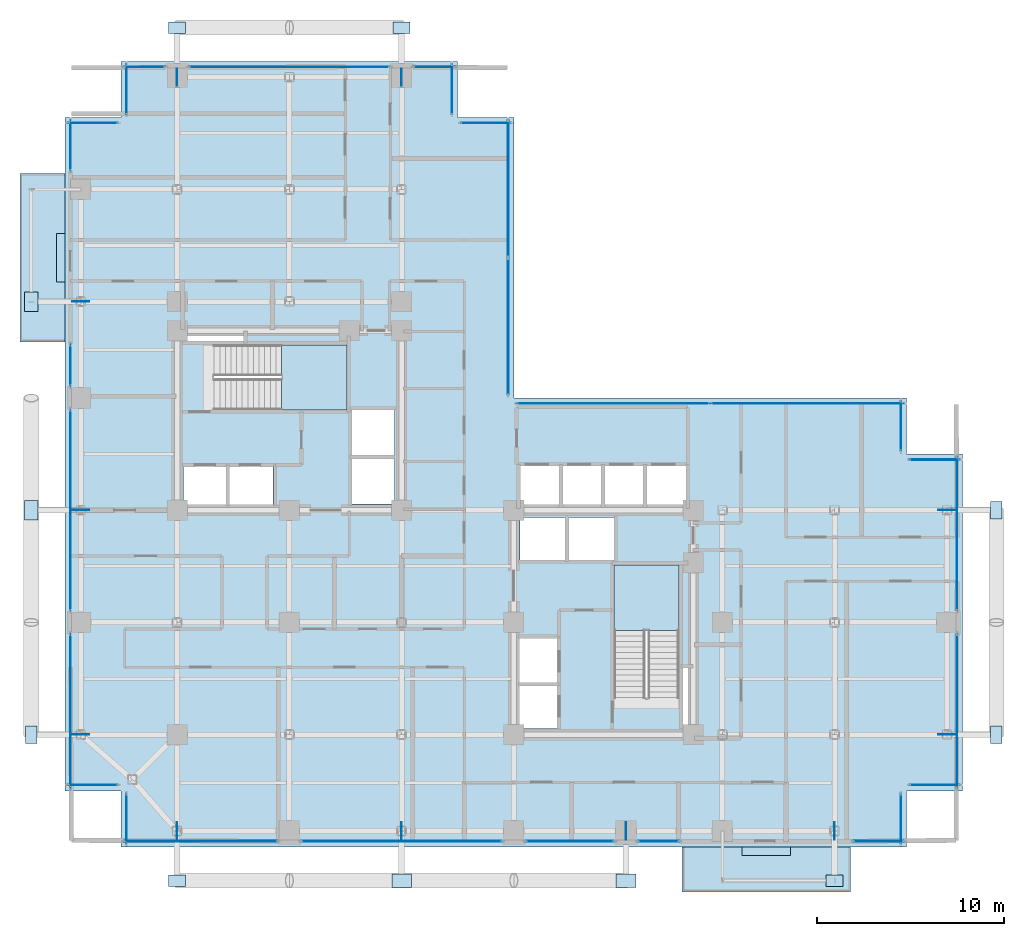
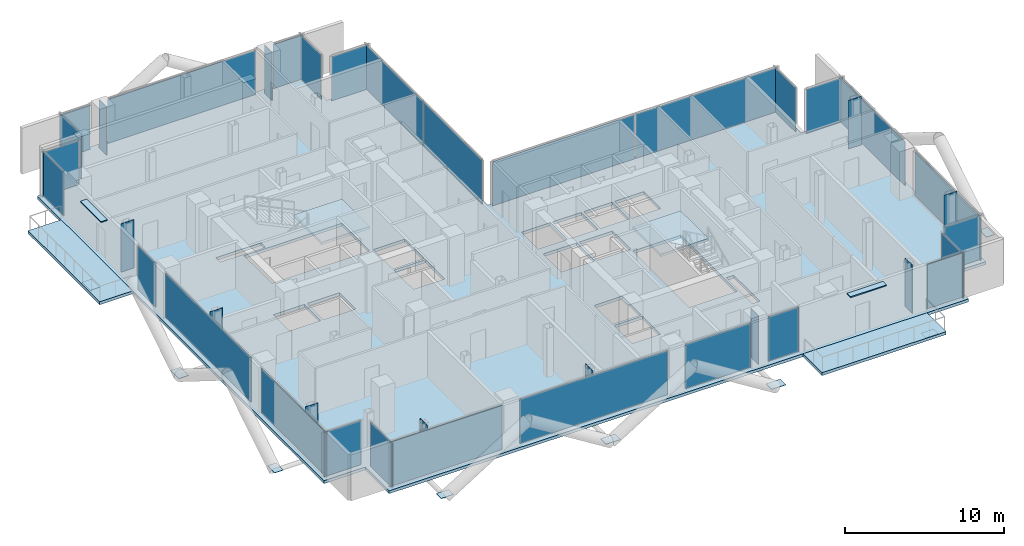
# One storey, part 18 of 28: 52 plates, 5 slabs, 28 elements without a shape of their own.
"""IFC4 building model written with IfcOpenShell, lengths in metres."""

from ifc_helpers import new_model, si_unit, direction, frame, origin, origin_2d, place, context, subcontext, project, spatial, polyline, rectangle, outline, extrude, material, layer, layer_set, type_object, element, aggregate, save


model = new_model("IFC4")

# Units and contexts
model_context = context("Model", 3, precision=1e-05, world=origin(), true_north=direction((0.0, 1.0)))
body_context = subcontext(model_context, "Body", "Model", "MODEL_VIEW")
ifc_project = project(units=[si_unit("LENGTHUNIT", "METRE"), si_unit("AREAUNIT", "SQUARE_METRE"), si_unit("VOLUMEUNIT", "CUBIC_METRE"), si_unit("PLANEANGLEUNIT", "RADIAN"), si_unit("MASSUNIT", "GRAM", prefix="KILO"), si_unit("THERMODYNAMICTEMPERATUREUNIT", "KELVIN"), si_unit("POWERUNIT", "WATT")], contexts=[model_context])

# Site, building, storey
site_placement = place(None, origin())
site = spatial("IfcSite", under=ifc_project, at=site_placement, CompositionType="ELEMENT")
building_placement = place(site_placement, origin())
building = spatial("IfcBuilding", under=site, at=building_placement, Name="Svarakhadi Broadcast Tower", CompositionType="ELEMENT")
storey_placement = place(building_placement, frame((0.0, 0.0, 134.39990234375)))
storey = spatial("IfcBuildingStorey", under=building, at=storey_placement, Name="L32", CompositionType="ELEMENT", Elevation=134.39990234375)

# Curtain wall, plate
ifc_material_1 = material(Name="Anodised Bronze Aluminium AA 6063-T6", Category="aluminium")
ifc_layer_1 = layer(ifc_material_1, 0.199951171875)
ifc_layer_set_1 = layer_set([ifc_layer_1], Name="Anodised Bronze Aluminium AA 6063-T6")
curtain_wall_type = type_object("IfcCurtainWallType", Name="CW_Sys_03", PredefinedType="NOTDEFINED", material=ifc_layer_set_1)
curtain_wall_1_placement = place(storey_placement, origin())
curtain_wall_1 = element("IfcCurtainWall", 1, at=curtain_wall_1_placement, inside=storey, type_object=curtain_wall_type, Name="L32 Unitised Facade Curtain Wall 01", PredefinedType="NOTDEFINED")
ifc_material_2 = material(Name="Double Low-E Laminated Acoustic Glass IGU 36 mm", Category="glass")
ifc_layer_2 = layer(ifc_material_2, 0.035888671875)
ifc_layer_set_2 = layer_set([ifc_layer_2], Name="Double Low-E Laminated Acoustic Glass IGU 36 mm")
plate_type_1 = type_object("IfcPlateType", Name="CW_Sys_03_Pnl", PredefinedType="CURTAIN_PANEL", material=ifc_layer_set_2)
plate_1_placement = place(storey_placement, frame((1.5, 3.300048828125, 0.0703125), z_axis=(0.0, 0.0, 1.0), x_axis=(-1.0, 0.0, 0.0)))
plate_1 = element("IfcPlate", 2, at=plate_1_placement, type_object=plate_type_1, Name="CW-03 panel 1.1", PredefinedType="CURTAIN_PANEL", context=body_context, shape_type="SweptSolid", body=[
    extrude(rectangle(XDim=2.669921875, YDim=0.035888671875, at=origin_2d()), origin(), (0.0, 0.0, 1.0), 3.385009765625),
])
aggregate(curtain_wall_1, [plate_1])

curtain_wall_2_placement = place(storey_placement, origin())
curtain_wall_2 = element("IfcCurtainWall", 3, at=curtain_wall_2_placement, inside=storey, type_object=curtain_wall_type, Name="L32 West Curtain Wall 02 Bay 1", PredefinedType="NOTDEFINED")
plate_2_placement = place(storey_placement, frame((0.300048828125, 7.260009765625, 0.0703125), z_axis=(0.0, 0.0, 1.0), x_axis=(0.0, 1.0, 0.0)))
plate_2 = element("IfcPlate", 4, at=plate_2_placement, type_object=plate_type_1, Name="CW-03 panel 1.1", PredefinedType="CURTAIN_PANEL", context=body_context, shape_type="SweptSolid", body=[
    extrude(rectangle(XDim=8.18994140625, YDim=0.035888671875, at=origin_2d()), origin(), (0.0, 0.0, 1.0), 3.385009765625),
])
aggregate(curtain_wall_2, [plate_2])

curtain_wall_3_placement = place(storey_placement, origin())
curtain_wall_3 = element("IfcCurtainWall", 5, at=curtain_wall_3_placement, inside=storey, type_object=curtain_wall_type, Name="L32 West Curtain Wall 02 Bay 2", PredefinedType="NOTDEFINED")
plate_3_placement = place(storey_placement, frame((0.300048828125, 18.0, 0.0703125), z_axis=(0.0, 0.0, 1.0), x_axis=(0.0, 1.0, 0.0)))
plate_3 = element("IfcPlate", 6, at=plate_3_placement, type_object=plate_type_1, Name="CW-03 panel 1.1", PredefinedType="CURTAIN_PANEL", context=body_context, shape_type="SweptSolid", body=[
    extrude(rectangle(XDim=10.7099609375, YDim=0.035888671875, at=origin_2d()), origin(), (0.0, 0.0, 1.0), 3.385009765625),
])
aggregate(curtain_wall_3, [plate_3])

curtain_wall_4_placement = place(storey_placement, origin())
curtain_wall_4 = element("IfcCurtainWall", 7, at=curtain_wall_4_placement, inside=storey, type_object=curtain_wall_type, Name="L32 West Curtain Wall 02 Bay 3", PredefinedType="NOTDEFINED")
plate_4_placement = place(storey_placement, frame((0.300048828125, 25.739990234375, 0.0703125), z_axis=(0.0, 0.0, 1.0), x_axis=(0.0, 1.0, 0.0)))
plate_4 = element("IfcPlate", 8, at=plate_4_placement, type_object=plate_type_1, Name="CW-03 panel 1.1", PredefinedType="CURTAIN_PANEL", context=body_context, shape_type="SweptSolid", body=[
    extrude(rectangle(XDim=2.18994140625, YDim=0.035888671875, at=origin_2d()), origin(), (0.0, 0.0, 1.0), 3.385009765625),
])
aggregate(curtain_wall_4, [plate_4])

curtain_wall_5_placement = place(storey_placement, origin())
curtain_wall_5 = element("IfcCurtainWall", 9, at=curtain_wall_5_placement, inside=storey, type_object=curtain_wall_type, Name="L32 West Curtain Wall 03", PredefinedType="NOTDEFINED")
plate_5_placement = place(storey_placement, frame((0.300048828125, 37.5, 0.0703125), z_axis=(0.0, 0.0, 1.0), x_axis=(0.0, 1.0, 0.0)))
plate_5 = element("IfcPlate", 10, at=plate_5_placement, type_object=plate_type_1, Name="CW-03 panel 1.1", PredefinedType="CURTAIN_PANEL", context=body_context, shape_type="SweptSolid", body=[
    extrude(rectangle(XDim=2.669921875, YDim=0.035888671875, at=origin_2d()), origin(), (0.0, 0.0, 1.0), 3.385009765625),
])
aggregate(curtain_wall_5, [plate_5])

curtain_wall_6_placement = place(storey_placement, origin())
curtain_wall_6 = element("IfcCurtainWall", 11, at=curtain_wall_6_placement, inside=storey, type_object=curtain_wall_type, Name="L32 Unitised Facade Curtain Wall 04", PredefinedType="NOTDEFINED")
plate_6_placement = place(storey_placement, frame((1.5, 38.699951171875, 0.0703125), z_axis=(0.0, 0.0, 1.0), x_axis=(1.0, 0.0, 0.0)))
plate_6 = element("IfcPlate", 12, at=plate_6_placement, type_object=plate_type_1, Name="CW-03 panel 1.1", PredefinedType="CURTAIN_PANEL", context=body_context, shape_type="SweptSolid", body=[
    extrude(rectangle(XDim=2.669921875, YDim=0.035888671875, at=origin_2d()), origin(), (0.0, 0.0, 1.0), 3.385009765625),
])
aggregate(curtain_wall_6, [plate_6])

curtain_wall_7_placement = place(storey_placement, origin())
curtain_wall_7 = element("IfcCurtainWall", 13, at=curtain_wall_7_placement, inside=storey, type_object=curtain_wall_type, Name="L32 Unitised Facade Curtain Wall 05", PredefinedType="NOTDEFINED")
plate_7_placement = place(storey_placement, frame((3.300048828125, 40.5, 0.0703125), z_axis=(0.0, 0.0, 1.0), x_axis=(0.0, 1.0, 0.0)))
plate_7 = element("IfcPlate", 14, at=plate_7_placement, type_object=plate_type_1, Name="CW-03 panel 1.1", PredefinedType="CURTAIN_PANEL", context=body_context, shape_type="SweptSolid", body=[
    extrude(rectangle(XDim=2.669921875, YDim=0.035888671875, at=origin_2d()), origin(), (0.0, 0.0, 1.0), 3.385009765625),
])
aggregate(curtain_wall_7, [plate_7])

curtain_wall_8_placement = place(storey_placement, origin())
curtain_wall_8 = element("IfcCurtainWall", 15, at=curtain_wall_8_placement, inside=storey, type_object=curtain_wall_type, Name="L32 Unitised Facade Curtain Wall 06 Bay 1", PredefinedType="NOTDEFINED")
plate_8_placement = place(storey_placement, frame((4.260009765625, 41.699951171875, 0.0703125), z_axis=(0.0, 0.0, 1.0), x_axis=(1.0, 0.0, 0.0)))
plate_8 = element("IfcPlate", 16, at=plate_8_placement, type_object=plate_type_1, Name="CW-03 panel 1.1", PredefinedType="CURTAIN_PANEL", context=body_context, shape_type="SweptSolid", body=[
    extrude(rectangle(XDim=2.18994140625, YDim=0.035888671875, at=origin_2d()), origin(), (0.0, 0.0, 1.0), 3.385009765625),
])
aggregate(curtain_wall_8, [plate_8])

curtain_wall_9_placement = place(storey_placement, origin())
curtain_wall_9 = element("IfcCurtainWall", 17, at=curtain_wall_9_placement, inside=storey, type_object=curtain_wall_type, Name="L32 Unitised Facade Curtain Wall 06 Bay 2", PredefinedType="NOTDEFINED")
plate_9_placement = place(storey_placement, frame((12.0, 41.699951171875, 0.0703125), z_axis=(0.0, 0.0, 1.0), x_axis=(1.0, 0.0, 0.0)))
plate_9 = element("IfcPlate", 18, at=plate_9_placement, type_object=plate_type_1, Name="CW-03 panel 1.1", PredefinedType="CURTAIN_PANEL", context=body_context, shape_type="SweptSolid", body=[
    extrude(rectangle(XDim=10.7099609375, YDim=0.035888671875, at=origin_2d()), origin(), (0.0, 0.0, 1.0), 3.385009765625),
])
aggregate(curtain_wall_9, [plate_9])

curtain_wall_10_placement = place(storey_placement, origin())
curtain_wall_10 = element("IfcCurtainWall", 19, at=curtain_wall_10_placement, inside=storey, type_object=curtain_wall_type, Name="L32 Unitised Facade Curtain Wall 06 Bay 3", PredefinedType="NOTDEFINED")
plate_10_placement = place(storey_placement, frame((19.739990234375, 41.699951171875, 0.0703125), z_axis=(0.0, 0.0, 1.0), x_axis=(1.0, 0.0, 0.0)))
plate_10 = element("IfcPlate", 20, at=plate_10_placement, type_object=plate_type_1, Name="CW-03 panel 1.1", PredefinedType="CURTAIN_PANEL", context=body_context, shape_type="SweptSolid", body=[
    extrude(rectangle(XDim=2.18994140625, YDim=0.035888671875, at=origin_2d()), origin(), (0.0, 0.0, 1.0), 3.385009765625),
])
aggregate(curtain_wall_10, [plate_10])

curtain_wall_11_placement = place(storey_placement, origin())
curtain_wall_11 = element("IfcCurtainWall", 21, at=curtain_wall_11_placement, inside=storey, type_object=curtain_wall_type, Name="L32 Unitised Facade Curtain Wall 07", PredefinedType="NOTDEFINED")
plate_11_placement = place(storey_placement, frame((20.699951171875, 40.5, 0.0703125), z_axis=(0.0, 0.0, 1.0), x_axis=(0.0, -1.0, 0.0)))
plate_11 = element("IfcPlate", 22, at=plate_11_placement, type_object=plate_type_1, Name="CW-03 panel 1.1", PredefinedType="CURTAIN_PANEL", context=body_context, shape_type="SweptSolid", body=[
    extrude(rectangle(XDim=2.669921875, YDim=0.035888671875, at=origin_2d()), origin(), (0.0, 0.0, 1.0), 3.385009765625),
])
aggregate(curtain_wall_11, [plate_11])

curtain_wall_12_placement = place(storey_placement, origin())
curtain_wall_12 = element("IfcCurtainWall", 23, at=curtain_wall_12_placement, inside=storey, type_object=curtain_wall_type, Name="L32 Unitised Facade Curtain Wall 08", PredefinedType="NOTDEFINED")
plate_12_placement = place(storey_placement, frame((22.5, 38.699951171875, 0.0703125), z_axis=(0.0, 0.0, 1.0), x_axis=(1.0, 0.0, 0.0)))
plate_12 = element("IfcPlate", 24, at=plate_12_placement, type_object=plate_type_1, Name="CW-03 panel 1.1", PredefinedType="CURTAIN_PANEL", context=body_context, shape_type="SweptSolid", body=[
    extrude(rectangle(XDim=2.669921875, YDim=0.035888671875, at=origin_2d()), origin(), (0.0, 0.0, 1.0), 3.385009765625),
])
aggregate(curtain_wall_12, [plate_12])

# Curtain wall, plates
curtain_wall_13_placement = place(storey_placement, origin())
curtain_wall_13 = element("IfcCurtainWall", 25, at=curtain_wall_13_placement, inside=storey, type_object=curtain_wall_type, Name="L32 Unitised Facade Curtain Wall 09", PredefinedType="NOTDEFINED")
plate_13_placement = place(storey_placement, frame((23.699951171875, 35.186279296875, 0.0703125), z_axis=(0.0, 0.0, 1.0), x_axis=(0.0, -1.0, 0.0)))
plate_13 = element("IfcPlate", 26, at=plate_13_placement, type_object=plate_type_1, Name="CW-03 panel 1.1", PredefinedType="CURTAIN_PANEL", context=body_context, shape_type="SweptSolid", body=[
    extrude(rectangle(XDim=7.297607421875, YDim=0.035888671875, at=origin_2d()), origin(), (0.0, 0.0, 1.0), 3.385009765625),
])
plate_14_placement = place(storey_placement, frame((23.699951171875, 27.813720703125, 0.0703125), z_axis=(0.0, 0.0, 1.0), x_axis=(0.0, -1.0, 0.0)))
plate_14 = element("IfcPlate", 27, at=plate_14_placement, type_object=plate_type_1, Name="CW-03 panel 2.1", PredefinedType="CURTAIN_PANEL", context=body_context, shape_type="SweptSolid", body=[
    extrude(rectangle(XDim=7.297607421875, YDim=0.035888671875, at=origin_2d()), origin(), (0.0, 0.0, 1.0), 3.385009765625),
])
aggregate(curtain_wall_13, [plate_13, plate_14])

curtain_wall_14_placement = place(storey_placement, origin())
curtain_wall_14 = element("IfcCurtainWall", 28, at=curtain_wall_14_placement, inside=storey, type_object=curtain_wall_type, Name="L32 Unitised Facade Curtain Wall 10", PredefinedType="NOTDEFINED")
plate_15_placement = place(storey_placement, frame((29.313720703125, 23.699951171875, 0.0703125), z_axis=(0.0, 0.0, 1.0), x_axis=(1.0, 0.0, 0.0)))
plate_15 = element("IfcPlate", 29, at=plate_15_placement, type_object=plate_type_1, Name="CW-03 panel 1.1", PredefinedType="CURTAIN_PANEL", context=body_context, shape_type="SweptSolid", body=[
    extrude(rectangle(XDim=10.297607421875, YDim=0.035888671875, at=origin_2d()), origin(), (0.0, 0.0, 1.0), 3.385009765625),
])
plate_16_placement = place(storey_placement, frame((39.686279296875, 23.699951171875, 0.0703125), z_axis=(0.0, 0.0, 1.0), x_axis=(1.0, 0.0, 0.0)))
plate_16 = element("IfcPlate", 30, at=plate_16_placement, type_object=plate_type_1, Name="CW-03 panel 2.1", PredefinedType="CURTAIN_PANEL", context=body_context, shape_type="SweptSolid", body=[
    extrude(rectangle(XDim=10.297607421875, YDim=0.035888671875, at=origin_2d()), origin(), (0.0, 0.0, 1.0), 3.385009765625),
])
aggregate(curtain_wall_14, [plate_15, plate_16])

# Curtain wall, plate
curtain_wall_15_placement = place(storey_placement, origin())
curtain_wall_15 = element("IfcCurtainWall", 31, at=curtain_wall_15_placement, inside=storey, type_object=curtain_wall_type, Name="L32 Unitised Facade Curtain Wall 11", PredefinedType="NOTDEFINED")
plate_17_placement = place(storey_placement, frame((44.699951171875, 22.5, 0.0703125), z_axis=(0.0, 0.0, 1.0), x_axis=(0.0, -1.0, 0.0)))
plate_17 = element("IfcPlate", 32, at=plate_17_placement, type_object=plate_type_1, Name="CW-03 panel 1.1", PredefinedType="CURTAIN_PANEL", context=body_context, shape_type="SweptSolid", body=[
    extrude(rectangle(XDim=2.669921875, YDim=0.035888671875, at=origin_2d()), origin(), (0.0, 0.0, 1.0), 3.385009765625),
])
aggregate(curtain_wall_15, [plate_17])

curtain_wall_16_placement = place(storey_placement, origin())
curtain_wall_16 = element("IfcCurtainWall", 33, at=curtain_wall_16_placement, inside=storey, type_object=curtain_wall_type, Name="L32 Unitised Facade Curtain Wall 12", PredefinedType="NOTDEFINED")
plate_18_placement = place(storey_placement, frame((46.5, 20.699951171875, 0.0703125), z_axis=(0.0, 0.0, 1.0), x_axis=(1.0, 0.0, 0.0)))
plate_18 = element("IfcPlate", 34, at=plate_18_placement, type_object=plate_type_1, Name="CW-03 panel 1.1", PredefinedType="CURTAIN_PANEL", context=body_context, shape_type="SweptSolid", body=[
    extrude(rectangle(XDim=2.669921875, YDim=0.035888671875, at=origin_2d()), origin(), (0.0, 0.0, 1.0), 3.385009765625),
])
aggregate(curtain_wall_16, [plate_18])

curtain_wall_17_placement = place(storey_placement, origin())
curtain_wall_17 = element("IfcCurtainWall", 35, at=curtain_wall_17_placement, inside=storey, type_object=curtain_wall_type, Name="L32 Unitised Facade Curtain Wall 13 Bay 1", PredefinedType="NOTDEFINED")
plate_19_placement = place(storey_placement, frame((47.699951171875, 16.739990234375, 0.0703125), z_axis=(0.0, 0.0, 1.0), x_axis=(0.0, -1.0, 0.0)))
plate_19 = element("IfcPlate", 36, at=plate_19_placement, type_object=plate_type_1, Name="CW-03 panel 1.1", PredefinedType="CURTAIN_PANEL", context=body_context, shape_type="SweptSolid", body=[
    extrude(rectangle(XDim=8.18994140625, YDim=0.035888671875, at=origin_2d()), origin(), (0.0, 0.0, 1.0), 3.385009765625),
])
aggregate(curtain_wall_17, [plate_19])

curtain_wall_18_placement = place(storey_placement, origin())
curtain_wall_18 = element("IfcCurtainWall", 37, at=curtain_wall_18_placement, inside=storey, type_object=curtain_wall_type, Name="L32 Unitised Facade Curtain Wall 13 Bay 2", PredefinedType="NOTDEFINED")
plate_20_placement = place(storey_placement, frame((47.699951171875, 7.260009765625, 0.0703125), z_axis=(0.0, 0.0, 1.0), x_axis=(0.0, -1.0, 0.0)))
plate_20 = element("IfcPlate", 38, at=plate_20_placement, type_object=plate_type_1, Name="CW-03 panel 1.1", PredefinedType="CURTAIN_PANEL", context=body_context, shape_type="SweptSolid", body=[
    extrude(rectangle(XDim=8.18994140625, YDim=0.035888671875, at=origin_2d()), origin(), (0.0, 0.0, 1.0), 3.385009765625),
])
aggregate(curtain_wall_18, [plate_20])

curtain_wall_19_placement = place(storey_placement, origin())
curtain_wall_19 = element("IfcCurtainWall", 39, at=curtain_wall_19_placement, inside=storey, type_object=curtain_wall_type, Name="L32 Unitised Facade Curtain Wall 14", PredefinedType="NOTDEFINED")
plate_21_placement = place(storey_placement, frame((46.5, 3.300048828125, 0.0703125), z_axis=(0.0, 0.0, 1.0), x_axis=(-1.0, 0.0, 0.0)))
plate_21 = element("IfcPlate", 40, at=plate_21_placement, type_object=plate_type_1, Name="CW-03 panel 1.1", PredefinedType="CURTAIN_PANEL", context=body_context, shape_type="SweptSolid", body=[
    extrude(rectangle(XDim=2.669921875, YDim=0.035888671875, at=origin_2d()), origin(), (0.0, 0.0, 1.0), 3.385009765625),
])
aggregate(curtain_wall_19, [plate_21])

curtain_wall_20_placement = place(storey_placement, origin())
curtain_wall_20 = element("IfcCurtainWall", 41, at=curtain_wall_20_placement, inside=storey, type_object=curtain_wall_type, Name="L32 Unitised Facade Curtain Wall 15", PredefinedType="NOTDEFINED")
plate_22_placement = place(storey_placement, frame((44.699951171875, 1.5, 0.0703125), z_axis=(0.0, 0.0, 1.0), x_axis=(0.0, -1.0, 0.0)))
plate_22 = element("IfcPlate", 42, at=plate_22_placement, type_object=plate_type_1, Name="CW-03 panel 1.1", PredefinedType="CURTAIN_PANEL", context=body_context, shape_type="SweptSolid", body=[
    extrude(rectangle(XDim=2.669921875, YDim=0.035888671875, at=origin_2d()), origin(), (0.0, 0.0, 1.0), 3.385009765625),
])
aggregate(curtain_wall_20, [plate_22])

curtain_wall_21_placement = place(storey_placement, origin())
curtain_wall_21 = element("IfcCurtainWall", 43, at=curtain_wall_21_placement, inside=storey, type_object=curtain_wall_type, Name="L32 South Curtain Wall 16", PredefinedType="NOTDEFINED")
plate_23_placement = place(storey_placement, frame((43.5, 0.300048828125, 0.0703125), z_axis=(0.0, 0.0, 1.0), x_axis=(-1.0, 0.0, 0.0)))
plate_23 = element("IfcPlate", 44, at=plate_23_placement, type_object=plate_type_1, Name="CW-03 panel 1.1", PredefinedType="CURTAIN_PANEL", context=body_context, shape_type="SweptSolid", body=[
    extrude(rectangle(XDim=2.669921875, YDim=0.035888671875, at=origin_2d()), origin(), (0.0, 0.0, 1.0), 3.385009765625),
])
aggregate(curtain_wall_21, [plate_23])

curtain_wall_22_placement = place(storey_placement, origin())
curtain_wall_22 = element("IfcCurtainWall", 45, at=curtain_wall_22_placement, inside=storey, type_object=curtain_wall_type, Name="L32 South Curtain Wall 17 Bay 1", PredefinedType="NOTDEFINED")
plate_24_placement = place(storey_placement, frame((31.739990234375, 0.300048828125, 0.0703125), z_axis=(0.0, 0.0, 1.0), x_axis=(-1.0, 0.0, 0.0)))
plate_24 = element("IfcPlate", 46, at=plate_24_placement, type_object=plate_type_1, Name="CW-03 panel 1.1", PredefinedType="CURTAIN_PANEL", context=body_context, shape_type="SweptSolid", body=[
    extrude(rectangle(XDim=2.18994140625, YDim=0.035888671875, at=origin_2d()), origin(), (0.0, 0.0, 1.0), 3.385009765625),
])
aggregate(curtain_wall_22, [plate_24])

curtain_wall_23_placement = place(storey_placement, origin())
curtain_wall_23 = element("IfcCurtainWall", 47, at=curtain_wall_23_placement, inside=storey, type_object=curtain_wall_type, Name="L32 South Curtain Wall 17 Bay 2", PredefinedType="NOTDEFINED")
plate_25_placement = place(storey_placement, frame((27.0, 0.300048828125, 0.0703125), z_axis=(0.0, 0.0, 1.0), x_axis=(-1.0, 0.0, 0.0)))
plate_25 = element("IfcPlate", 48, at=plate_25_placement, type_object=plate_type_1, Name="CW-03 panel 1.1", PredefinedType="CURTAIN_PANEL", context=body_context, shape_type="SweptSolid", body=[
    extrude(rectangle(XDim=4.7099609375, YDim=0.035888671875, at=origin_2d()), origin(), (0.0, 0.0, 1.0), 3.385009765625),
])
aggregate(curtain_wall_23, [plate_25])

curtain_wall_24_placement = place(storey_placement, origin())
curtain_wall_24 = element("IfcCurtainWall", 49, at=curtain_wall_24_placement, inside=storey, type_object=curtain_wall_type, Name="L32 South Curtain Wall 17 Bay 3", PredefinedType="NOTDEFINED")
plate_26_placement = place(storey_placement, frame((18.0, 0.300048828125, 0.0703125), z_axis=(0.0, 0.0, 1.0), x_axis=(-1.0, 0.0, 0.0)))
plate_26 = element("IfcPlate", 50, at=plate_26_placement, type_object=plate_type_1, Name="CW-03 panel 1.1", PredefinedType="CURTAIN_PANEL", context=body_context, shape_type="SweptSolid", body=[
    extrude(rectangle(XDim=10.7099609375, YDim=0.035888671875, at=origin_2d()), origin(), (0.0, 0.0, 1.0), 3.385009765625),
])
aggregate(curtain_wall_24, [plate_26])

curtain_wall_25_placement = place(storey_placement, origin())
curtain_wall_25 = element("IfcCurtainWall", 51, at=curtain_wall_25_placement, inside=storey, type_object=curtain_wall_type, Name="L32 South Curtain Wall 17 Bay 4", PredefinedType="NOTDEFINED")
plate_27_placement = place(storey_placement, frame((7.260009765625, 0.300048828125, 0.0703125), z_axis=(0.0, 0.0, 1.0), x_axis=(-1.0, 0.0, 0.0)))
plate_27 = element("IfcPlate", 52, at=plate_27_placement, type_object=plate_type_1, Name="CW-03 panel 1.1", PredefinedType="CURTAIN_PANEL", context=body_context, shape_type="SweptSolid", body=[
    extrude(rectangle(XDim=8.18994140625, YDim=0.035888671875, at=origin_2d()), origin(), (0.0, 0.0, 1.0), 3.385009765625),
])
aggregate(curtain_wall_25, [plate_27])

curtain_wall_26_placement = place(storey_placement, origin())
curtain_wall_26 = element("IfcCurtainWall", 53, at=curtain_wall_26_placement, inside=storey, type_object=curtain_wall_type, Name="L32 Unitised Facade Curtain Wall 18", PredefinedType="NOTDEFINED")
plate_28_placement = place(storey_placement, frame((3.300048828125, 1.5, 0.0703125), z_axis=(0.0, 0.0, 1.0), x_axis=(0.0, 1.0, 0.0)))
plate_28 = element("IfcPlate", 54, at=plate_28_placement, type_object=plate_type_1, Name="CW-03 panel 1.1", PredefinedType="CURTAIN_PANEL", context=body_context, shape_type="SweptSolid", body=[
    extrude(rectangle(XDim=2.669921875, YDim=0.035888671875, at=origin_2d()), origin(), (0.0, 0.0, 1.0), 3.385009765625),
])
aggregate(curtain_wall_26, [plate_28])

# Plates
ifc_material_3 = material(Name="Steel S460ML (IS 2062 E450BR)", Category="steel")
ifc_layer_3 = layer(ifc_material_3, 0.031982421875)
ifc_layer_set_3 = layer_set([ifc_layer_3], Name="Steel S460ML (IS 2062 E450BR)")
plate_type_2 = type_object("IfcPlateType", Name="Node_Gusset_N02", PredefinedType="SHEET", material=ifc_layer_set_3)
for number, where, z_axis, x_axis, name in (
    (55, (18.0, -1.800048828125, -0.22509765625), (0.0, 0.0, 1.0), (1.0, 0.0, 0.0), "L32 Exoskeleton Gusset Node Plate S02"),
    (56, (30.0, -1.800048828125, -0.22509765625), (0.0, 0.0, 1.0), (1.0, 0.0, 0.0), "L32 Exoskeleton Gusset Node Plate S03"),
    (57, (-1.800048828125, 18.0, -0.22509765625), (0.0, 0.0, 1.0), (0.0, 1.0, 0.0), "L32 Exoskeleton Gusset Node Plate W06"),
    (58, (-1.800048828125, 29.14990234375, -0.22509765625), (0.0, 0.0, 1.0), (0.0, 1.0, 0.0), "L32 Exoskeleton Gusset Node Plate W07"),
):
    element("IfcPlate", number, at=place(storey_placement, frame(where, z_axis=z_axis, x_axis=x_axis)), inside=storey, type_object=plate_type_2, Name=name, PredefinedType="SHEET", context=body_context, shape_type="SweptSolid", body=[
        extrude(rectangle(XDim=1.050048828125, YDim=0.719970703125, at=origin_2d()), origin(), (0.0, 0.0, 1.0), 0.031982421875),
    ])
ifc_layer_4 = layer(ifc_material_3, 0.02587890625)
ifc_layer_set_4 = layer_set([ifc_layer_4], Name="Steel S460ML (IS 2062 E450BR)")
plate_type_3 = type_object("IfcPlateType", Name="Node_Gusset_N07", PredefinedType="SHEET", material=ifc_layer_set_4)
for number, where, z_axis, x_axis, name in (
    (59, (6.0, -1.800048828125, -0.224853515625), (0.0, 0.0, 1.0), (1.0, 0.0, 0.0), "L32 Exoskeleton Gusset Node Plate S01"),
    (60, (41.14990234375, -1.800048828125, -0.224853515625), (0.0, 0.0, 1.0), (1.0, 0.0, 0.0), "L32 Exoskeleton Gusset Node Plate S04"),
    (61, (-1.800048828125, 6.0, -0.224853515625), (0.0, 0.0, 1.0), (0.0, 1.0, 0.0), "L32 Exoskeleton Gusset Node Plate W05"),
    (62, (49.800048828125, 6.0, -0.224853515625), (0.0, 0.0, 1.0), (0.0, 1.0, 0.0), "L32 Exoskeleton Gusset Node Plate E08"),
    (63, (49.800048828125, 18.0, -0.224853515625), (0.0, 0.0, 1.0), (0.0, 1.0, 0.0), "L32 Exoskeleton Gusset Node Plate E09"),
    (64, (6.0, 43.800048828125, -0.224853515625), (0.0, 0.0, 1.0), (1.0, 0.0, 0.0), "L32 Exoskeleton Gusset Node Plate N10"),
    (65, (18.0, 43.800048828125, -0.224853515625), (0.0, 0.0, 1.0), (1.0, 0.0, 0.0), "L32 Exoskeleton Gusset Node Plate N11"),
):
    element("IfcPlate", number, at=place(storey_placement, frame(where, z_axis=z_axis, x_axis=x_axis)), inside=storey, type_object=plate_type_3, Name=name, PredefinedType="SHEET", context=body_context, shape_type="SweptSolid", body=[
        extrude(rectangle(XDim=0.919921875, YDim=0.6201171875, at=origin_2d()), origin(), (0.0, 0.0, 1.0), 0.02587890625),
    ])
for number, where, z_axis, x_axis, name in (
    (66, (6.0, 0.85009765625, -0.5869140625), (0.0, 0.0, 1.0), (0.0, 1.0, 0.0), "L32 Brace End Connection Gusset Plate N-07-E0259"),
    (67, (18.0, 0.85009765625, -0.5869140625), (0.0, 0.0, 1.0), (0.0, 1.0, 0.0), "L32 Brace End Connection Gusset Plate N-07-E0260"),
    (68, (30.0, 0.85009765625, -0.5869140625), (0.0, 0.0, 1.0), (0.0, 1.0, 0.0), "L32 Brace End Connection Gusset Plate N-07-E0261"),
    (69, (41.14990234375, 0.85009765625, -0.5869140625), (0.0, 0.0, 1.0), (0.0, 1.0, 0.0), "L32 Brace End Connection Gusset Plate N-07-E0262"),
    (70, (0.85009765625, 6.0, -0.5869140625), (0.0, 0.0, 1.0), (1.0, 0.0, 0.0), "L32 Brace End Connection Gusset Plate N-07-E0263"),
    (71, (0.85009765625, 18.0, -0.5869140625), (0.0, 0.0, 1.0), (1.0, 0.0, 0.0), "L32 Brace End Connection Gusset Plate N-07-E0264"),
    (72, (0.85009765625, 29.14990234375, -0.5869140625), (0.0, 0.0, 1.0), (1.0, 0.0, 0.0), "L32 Brace End Connection Gusset Plate N-07-E0265"),
    (73, (47.14990234375, 6.0, -0.5869140625), (0.0, 0.0, 1.0), (1.0, 0.0, 0.0), "L32 Brace End Connection Gusset Plate N-07-E0266"),
    (74, (47.14990234375, 18.0, -0.5869140625), (0.0, 0.0, 1.0), (1.0, 0.0, 0.0), "L32 Brace End Connection Gusset Plate N-07-E0267"),
    (75, (6.0, 41.14990234375, -0.5869140625), (0.0, 0.0, 1.0), (0.0, 1.0, 0.0), "L32 Brace End Connection Gusset Plate N-07-E0268"),
    (76, (18.0, 41.14990234375, -0.5869140625), (0.0, 0.0, 1.0), (0.0, 1.0, 0.0), "L32 Brace End Connection Gusset Plate N-07-E0269"),
):
    element("IfcPlate", number, at=place(storey_placement, frame(where, z_axis=z_axis, x_axis=x_axis)), inside=storey, type_object=plate_type_3, Name=name, PredefinedType="SHEET", context=body_context, shape_type="SweptSolid", body=[
        extrude(rectangle(XDim=0.919921875, YDim=0.02587890625, at=origin_2d()), origin(), (0.0, 0.0, 1.0), 4.300048828125),
    ])

# Slab
ifc_material_4 = material(Name="Concrete C40/50 (IS 456 M50)", Category="concrete")
ifc_layer_5 = layer(ifc_material_4, 0.22509765625)
ifc_layer_set_5 = layer_set([ifc_layer_5], Name="Concrete C40/50 (IS 456 M50)")
slab_type_1 = type_object("IfcSlabType", Name="Slab_Floor_225", PredefinedType="FLOOR", material=ifc_layer_set_5)
slab_1_placement = place(storey_placement, frame((0.0, 0.0, -0.224853515625)))
element("IfcSlab", 77, at=slab_1_placement, inside=storey, type_object=slab_type_1, Name="L32 Structural Floor Slab", PredefinedType="FLOOR", context=body_context, shape_type="SweptSolid", body=[
    extrude(outline(polyline([(3.0, 0.0), (45.0, 0.0), (45.0, 3.0), (48.0, 3.0), (48.0, 21.0), (45.0, 21.0), (45.0, 24.0), (24.0, 24.0), (24.0, 39.0), (21.0, 39.0), (21.0, 42.0), (3.0, 42.0), (3.0, 39.0), (0.0, 39.0), (0.0, 3.0), (3.0, 3.0), (3.0, 0.0)]), holes=[polyline([(7.97998046875, 23.360107421875), (15.080078125, 23.360107421875), (15.080078125, 26.840087890625), (7.97998046875, 26.840087890625), (7.97998046875, 23.360107421875)]), polyline([(32.840087890625, 7.97998046875), (32.840087890625, 15.080078125), (29.360107421875, 15.080078125), (29.360107421875, 7.97998046875), (32.840087890625, 7.97998046875)]), polyline([(6.340087890625, 18.2900390625), (8.610107421875, 18.2900390625), (8.610107421875, 20.330078125), (6.340087890625, 20.330078125), (6.340087890625, 18.2900390625)]), polyline([(8.7900390625, 18.2900390625), (11.1298828125, 18.2900390625), (11.1298828125, 20.330078125), (8.7900390625, 20.330078125), (8.7900390625, 18.2900390625)]), polyline([(24.2900390625, 6.340087890625), (26.330078125, 6.340087890625), (26.330078125, 8.610107421875), (24.2900390625, 8.610107421875), (24.2900390625, 6.340087890625)]), polyline([(24.2900390625, 8.7900390625), (26.330078125, 8.7900390625), (26.330078125, 11.1298828125), (24.2900390625, 11.1298828125), (24.2900390625, 8.7900390625)]), polyline([(6.340087890625, 26.989990234375), (9.610107421875, 26.989990234375), (9.610107421875, 27.530029296875), (6.340087890625, 27.530029296875), (6.340087890625, 26.989990234375)]), polyline([(32.989990234375, 6.340087890625), (33.530029296875, 6.340087890625), (33.530029296875, 9.610107421875), (32.989990234375, 9.610107421875), (32.989990234375, 6.340087890625)]), polyline([(15.340087890625, 18.340087890625), (17.610107421875, 18.340087890625), (17.610107421875, 20.760009765625), (15.340087890625, 20.760009765625), (15.340087890625, 18.340087890625)]), polyline([(15.340087890625, 20.93994140625), (17.610107421875, 20.93994140625), (17.610107421875, 23.360107421875), (15.340087890625, 23.360107421875), (15.340087890625, 20.93994140625)]), polyline([(24.340087890625, 15.340087890625), (26.760009765625, 15.340087890625), (26.760009765625, 17.610107421875), (24.340087890625, 17.610107421875), (24.340087890625, 15.340087890625)]), polyline([(26.93994140625, 15.340087890625), (29.360107421875, 15.340087890625), (29.360107421875, 17.610107421875), (26.93994140625, 17.610107421875), (26.93994140625, 15.340087890625)]), polyline([(24.340087890625, 18.239990234375), (26.429931640625, 18.239990234375), (26.429931640625, 20.360107421875), (24.340087890625, 20.360107421875), (24.340087890625, 18.239990234375)]), polyline([(26.610107421875, 18.239990234375), (28.679931640625, 18.239990234375), (28.679931640625, 20.360107421875), (26.610107421875, 20.360107421875), (26.610107421875, 18.239990234375)]), polyline([(28.860107421875, 18.239990234375), (30.929931640625, 18.239990234375), (30.929931640625, 20.360107421875), (28.860107421875, 20.360107421875), (28.860107421875, 18.239990234375)]), polyline([(31.110107421875, 18.239990234375), (33.2099609375, 18.239990234375), (33.2099609375, 20.360107421875), (31.110107421875, 20.360107421875), (31.110107421875, 18.239990234375)])]), origin(), (0.0, 0.0, 1.0), 0.224853515625),
])

# Stair, slab
stair_type = type_object("IfcStairType", Name="Stair_Exit_Core", PredefinedType="HALF_TURN_STAIR", material=ifc_material_4)
stair_1_placement = place(storey_placement, origin())
stair_1 = element("IfcStair", 78, at=stair_1_placement, inside=storey, type_object=stair_type, Name="L32 West Core Protected Exit Stair ST-01", PredefinedType="HALF_TURN_STAIR")
ifc_layer_6 = layer(ifc_material_4, 0.199951171875)
ifc_layer_set_6 = layer_set([ifc_layer_6], Name="Concrete C40/50 (IS 456 M50)")
slab_type_2 = type_object("IfcSlabType", Name="Slab_Stair_Land", PredefinedType="LANDING", material=ifc_layer_set_6)
slab_2_placement = place(storey_placement, frame((0.0, 0.0, 1.675048828125)))
slab_2 = element("IfcSlab", 79, at=slab_2_placement, type_object=slab_type_2, Name="ST-01 landing 1", PredefinedType="LANDING", context=body_context, shape_type="SweptSolid", body=[
    extrude(outline(polyline([(11.580078125, 23.360107421875), (15.080078125, 23.360107421875), (15.080078125, 26.840087890625), (11.580078125, 26.840087890625), (11.580078125, 23.360107421875)])), origin(), (0.0, 0.0, 1.0), 0.199951171875),
])
aggregate(stair_1, [slab_2])

stair_2_placement = place(storey_placement, origin())
stair_2 = element("IfcStair", 80, at=stair_2_placement, inside=storey, type_object=stair_type, Name="L32 East Core Protected Exit Stair ST-02", PredefinedType="HALF_TURN_STAIR")
slab_3_placement = place(storey_placement, frame((0.0, 0.0, 1.675048828125)))
slab_3 = element("IfcSlab", 81, at=slab_3_placement, type_object=slab_type_2, Name="ST-02 landing 1", PredefinedType="LANDING", context=body_context, shape_type="SweptSolid", body=[
    extrude(outline(polyline([(32.840087890625, 11.580078125), (32.840087890625, 15.080078125), (29.360107421875, 15.080078125), (29.360107421875, 11.580078125), (32.840087890625, 11.580078125)])), origin(), (0.0, 0.0, 1.0), 0.199951171875),
])
aggregate(stair_2, [slab_3])

# Slabs
ifc_layer_7 = layer(ifc_material_4, 0.22509765625)
ifc_layer_set_7 = layer_set([ifc_layer_7], Name="Concrete C40/50 (IS 456 M50)")
slab_type_3 = type_object("IfcSlabType", Name="Slab_TreeBalcony", PredefinedType="FLOOR", material=ifc_layer_set_7)
slab_4_placement = place(storey_placement, frame((0.0, 0.0, -0.224853515625)))
element("IfcSlab", 82, at=slab_4_placement, inside=storey, type_object=slab_type_3, Name="L32 Planted Tree Balcony Slab BAL-E", PredefinedType="FLOOR", context=body_context, shape_type="SweptSolid", body=[
    extrude(outline(polyline([(33.0, -2.39990234375), (42.0, -2.39990234375), (42.0, 0.0), (33.0, 0.0), (33.0, -2.39990234375)])), origin(), (0.0, 0.0, 1.0), 0.224853515625),
])
slab_5_placement = place(storey_placement, frame((0.0, 0.0, -0.224853515625)))
element("IfcSlab", 83, at=slab_5_placement, inside=storey, type_object=slab_type_3, Name="L32 Planted Tree Balcony Slab BAL-N", PredefinedType="FLOOR", context=body_context, shape_type="SweptSolid", body=[
    extrude(outline(polyline([(-2.39990234375, 27.0), (0.0, 27.0), (0.0, 36.0), (-2.39990234375, 36.0), (-2.39990234375, 27.0)])), origin(), (0.0, 0.0, 1.0), 0.224853515625),
])

# Plates
ifc_layer_8 = layer(ifc_material_1, 0.080078125)
ifc_layer_set_8 = layer_set([ifc_layer_8], Name="Anodised Bronze Aluminium AA 6063-T6")
plate_type_4 = type_object("IfcPlateType", Name="Sunshade_Fin_SS01", PredefinedType="USERDEFINED", material=ifc_layer_set_8)
for number, where, z_axis, x_axis, name in (
    (84, (37.5, -0.22509765625, 3.445068359375), (0.0, 0.0, 1.0), (1.0, 0.0, 0.0), "L32 South Bronze Brise-Soleil Sunshade SS-01"),
    (85, (-0.22509765625, 31.5, 3.445068359375), (0.0, 0.0, 1.0), (0.0, 1.0, 0.0), "L32 West Bronze Brise-Soleil Sunshade SS-01"),
):
    element("IfcPlate", number, at=place(storey_placement, frame(where, z_axis=z_axis, x_axis=x_axis)), inside=storey, type_object=plate_type_4, Name=name, ObjectType="SUNSHADE", PredefinedType="USERDEFINED", context=body_context, shape_type="SweptSolid", body=[
        extrude(rectangle(XDim=2.60009765625, YDim=0.449951171875, at=origin_2d()), origin(), (0.0, 0.0, 1.0), 0.080078125),
    ])

save(model, "model.ifc")
